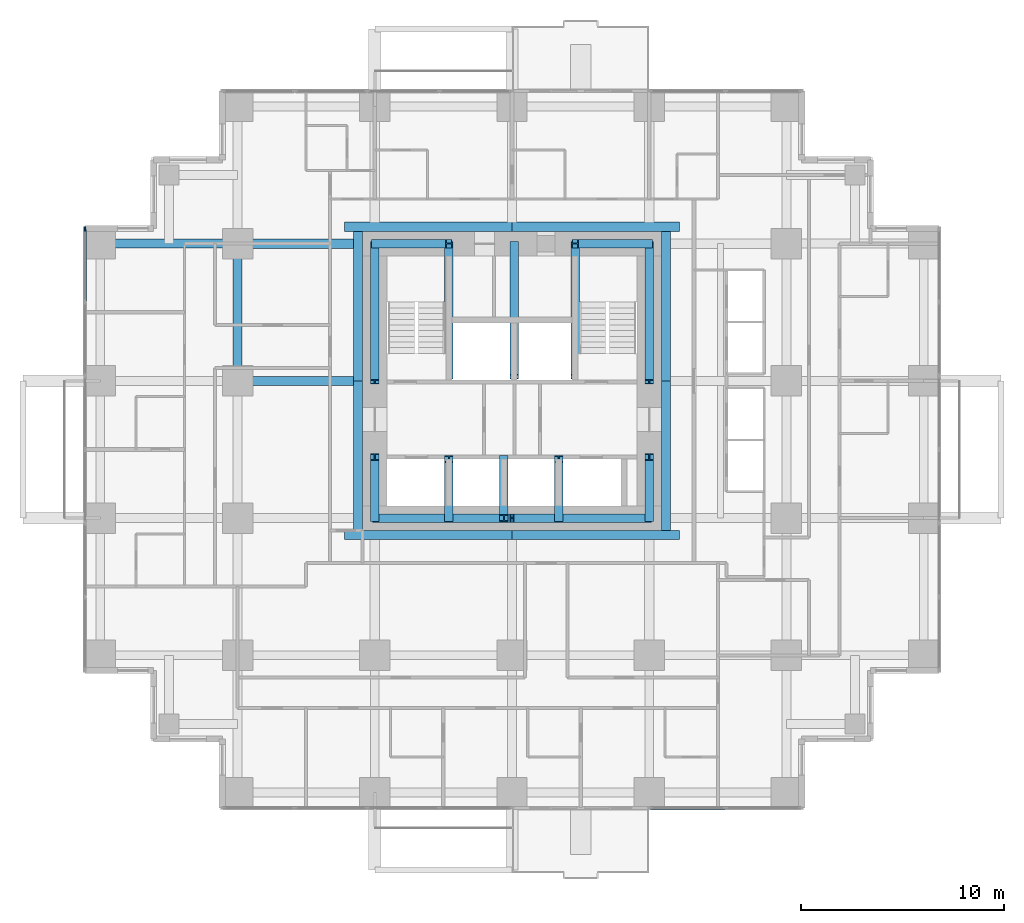
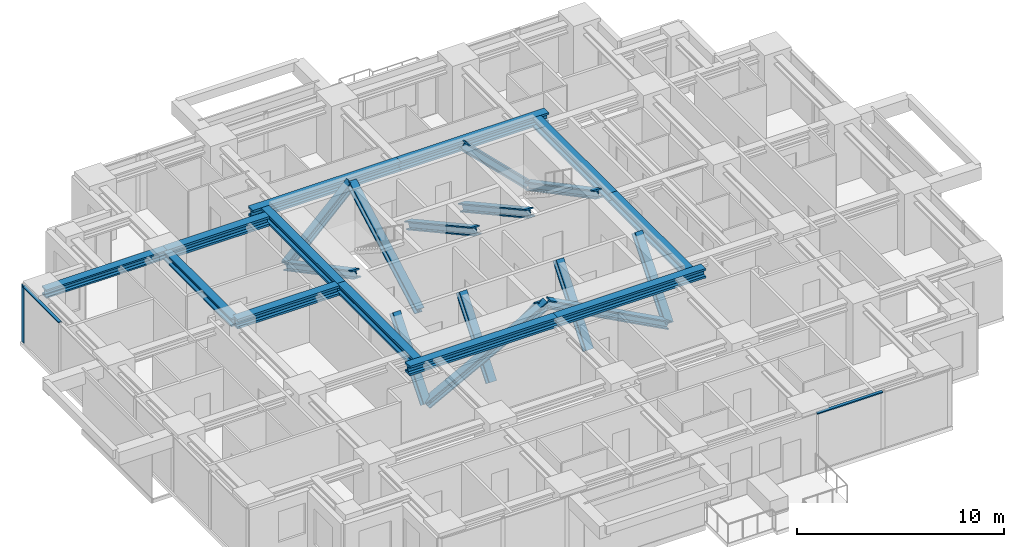
# One storey, part 3 of 12: 17 members, 12 beams, 2 elements without a shape of their own.
"""IFC4 building model written with IfcOpenShell, lengths in metres."""

from ifc_helpers import new_model, si_unit, direction, frame, origin, origin_2d, place, context, subcontext, project, spatial, rectangle, i_section, extrude, material, material_profile, profile_set, type_object, element, aggregate, save


model = new_model("IFC4")

# Units and contexts
model_context = context("Model", 3, precision=1e-05, world=origin(), true_north=direction((0.0, 1.0)))
body_context = subcontext(model_context, "Body", "Model", "MODEL_VIEW")
ifc_project = project(units=[si_unit("LENGTHUNIT", "METRE"), si_unit("AREAUNIT", "SQUARE_METRE"), si_unit("VOLUMEUNIT", "CUBIC_METRE"), si_unit("PLANEANGLEUNIT", "RADIAN"), si_unit("MASSUNIT", "GRAM", prefix="KILO")], contexts=[model_context])

# Site, building, storey
site_placement = place(None, origin())
site = spatial("IfcSite", under=ifc_project, at=site_placement, CompositionType="ELEMENT")
building_placement = place(site_placement, origin())
building = spatial("IfcBuilding", under=site, at=building_placement, Name="Nyansa Garden Tower", CompositionType="ELEMENT")
storey_placement = place(building_placement, frame((0.0, 0.0, 112.5)))
storey = spatial("IfcBuildingStorey", under=building, at=storey_placement, Name="L30", CompositionType="ELEMENT", Elevation=112.5)

# Curtain wall, member
ifc_material_1 = material(Name="Black anodised aluminium, dark tinted double glazing", Category="aluminium")
curtain_wall_type = type_object("IfcCurtainWallType", Name="Inner skin curtain wall ISW-B", PredefinedType="USERDEFINED", material=ifc_material_1)
curtain_wall_1_placement = place(storey_placement, origin())
curtain_wall_1 = element("IfcCurtainWall", 1, at=curtain_wall_1_placement, inside=storey, type_object=curtain_wall_type, Name="Inner skin curtain wall L30 W", ObjectType="UNITISED CURTAIN WALL", PredefinedType="USERDEFINED")
ifc_material_2 = material(Name="Black anodised aluminium", Category="aluminium")
ifc_material_profile_1 = material_profile(ifc_material_2, rectangle(XDim=0.06494140625, YDim=0.22509765625, at=origin_2d()), Name="Mullion 225x65")
ifc_profile_set_1 = profile_set([ifc_material_profile_1], Name="Black anodised aluminium")
member_type_1 = type_object("IfcMemberType", Name="Mullion ISW-B 225x65", PredefinedType="MULLION", material=ifc_profile_set_1)
member_1_placement = place(storey_placement, frame((-0.75, 27.717529296875, 0.0), z_axis=(0.0, 0.0, 1.0), x_axis=(1.0, 0.0, 0.0)))
member_1 = element("IfcMember", 2, at=member_1_placement, type_object=member_type_1, Name="ISW-B mullion 1", PredefinedType="MULLION", context=body_context, shape_type="SweptSolid", body=[
    extrude(rectangle(XDim=0.06494140625, YDim=0.22509765625, at=origin_2d()), origin(), (0.0, 0.0, 1.0), 3.375),
])

# Members
ifc_material_3 = material(Name="Steel S355", Category="steel")
ifc_material_profile_2 = material_profile(ifc_material_3, i_section(OverallWidth=0.41796875, OverallDepth=0.455078125, WebThickness=0.0419921875, FlangeThickness=0.067626953125, FilletRadius=0.014892578125, at=origin_2d()), Name="HD 400x463")
ifc_profile_set_2 = profile_set([ifc_material_profile_2], Name="Steel S355")
member_type_2 = type_object("IfcMemberType", Name="Perimeter brace HD 400x463", PredefinedType="BRACE", material=ifc_profile_set_2)
for number, where, z_axis, x_axis, name in (
    (3, (13.5, 13.5, 0.0), (0.882347640589, 0.0, 0.47059817376), (0.0, 1.0, 0.0), "Core brace CS1 L30"),
    (4, (27.0, 13.5, 0.0), (-0.882347640589, 0.0, 0.47059817376), (0.0, -1.0, 0.0), "Core brace CS2 L30"),
):
    element("IfcMember", number, at=place(storey_placement, frame(where, z_axis=z_axis, x_axis=x_axis)), inside=storey, type_object=member_type_2, Name=name, PredefinedType="BRACE", context=body_context, shape_type="SweptSolid", body=[
        extrude(i_section(OverallWidth=0.41796875, OverallDepth=0.455078125, WebThickness=0.0419921875, FlangeThickness=0.067626953125, FilletRadius=0.014892578125, at=origin_2d()), origin(), (0.0, 0.0, 1.0), 7.650146484375),
    ])
for number, where, z_axis, x_axis, name in (
    (5, (13.5, 27.0, 0.0), (0.711947531702, 0.0, 0.702232662373), (0.0, 1.0, 0.0), "Core brace CN3 L30"),
    (6, (27.0, 27.0, 0.0), (-0.711947531702, 0.0, 0.702232662373), (0.0, -1.0, 0.0), "Core brace CN4 L30"),
):
    element("IfcMember", number, at=place(storey_placement, frame(where, z_axis=z_axis, x_axis=x_axis)), inside=storey, type_object=member_type_2, Name=name, PredefinedType="BRACE", context=body_context, shape_type="SweptSolid", body=[
        extrude(i_section(OverallWidth=0.41796875, OverallDepth=0.455078125, WebThickness=0.0419921875, FlangeThickness=0.067626953125, FilletRadius=0.014892578125, at=origin_2d()), origin(), (0.0, 0.0, 1.0), 5.126708984375),
    ])
member_2_placement = place(storey_placement, frame((13.5, 13.5, 0.0), z_axis=(0.0, 0.640174150918, 0.768229820104), x_axis=(-1.0, 0.0, 0.0)))
element("IfcMember", 7, at=member_2_placement, inside=storey, type_object=member_type_2, Name="Core brace CW5 L30", PredefinedType="BRACE", context=body_context, shape_type="SweptSolid", body=[
    extrude(i_section(OverallWidth=0.41796875, OverallDepth=0.455078125, WebThickness=0.0419921875, FlangeThickness=0.067626953125, FilletRadius=0.014892578125, at=origin_2d()), origin(), (0.0, 0.0, 1.0), 4.686279296875),
])
member_3_placement = place(storey_placement, frame((13.5, 27.0, 0.0), z_axis=(0.0, -0.883784057226, 0.467895009796), x_axis=(1.0, 0.0, 0.0)))
element("IfcMember", 8, at=member_3_placement, inside=storey, type_object=member_type_2, Name="Core brace CW6 L30", PredefinedType="BRACE", context=body_context, shape_type="SweptSolid", body=[
    extrude(i_section(OverallWidth=0.41796875, OverallDepth=0.455078125, WebThickness=0.0419921875, FlangeThickness=0.067626953125, FilletRadius=0.014892578125, at=origin_2d()), origin(), (0.0, 0.0, 1.0), 7.6943359375),
])
member_4_placement = place(storey_placement, frame((27.0, 13.5, 0.0), z_axis=(0.0, 0.640174150918, 0.768229820104), x_axis=(-1.0, 0.0, 0.0)))
element("IfcMember", 9, at=member_4_placement, inside=storey, type_object=member_type_2, Name="Core brace CE7 L30", PredefinedType="BRACE", context=body_context, shape_type="SweptSolid", body=[
    extrude(i_section(OverallWidth=0.41796875, OverallDepth=0.455078125, WebThickness=0.0419921875, FlangeThickness=0.067626953125, FilletRadius=0.014892578125, at=origin_2d()), origin(), (0.0, 0.0, 1.0), 4.686279296875),
])
member_5_placement = place(storey_placement, frame((27.0, 27.0, 0.0), z_axis=(0.0, -0.883784057226, 0.467895009796), x_axis=(1.0, 0.0, 0.0)))
element("IfcMember", 10, at=member_5_placement, inside=storey, type_object=member_type_2, Name="Core brace CE8 L30", PredefinedType="BRACE", context=body_context, shape_type="SweptSolid", body=[
    extrude(i_section(OverallWidth=0.41796875, OverallDepth=0.455078125, WebThickness=0.0419921875, FlangeThickness=0.067626953125, FilletRadius=0.014892578125, at=origin_2d()), origin(), (0.0, 0.0, 1.0), 7.6943359375),
])
for number, where, z_axis, x_axis, name in (
    (11, (17.14990234375, 20.449951171875, 0.0), (0.0, 0.876353113771, 0.481669201822), (-1.0, 0.0, 0.0), "Core brace CWS9 L30"),
    (12, (23.35009765625, 27.0, 0.0), (0.0, -0.876353113771, 0.481669201822), (1.0, 0.0, 0.0), "Core brace CES10 L30"),
):
    element("IfcMember", number, at=place(storey_placement, frame(where, z_axis=z_axis, x_axis=x_axis)), inside=storey, type_object=member_type_2, Name=name, PredefinedType="BRACE", context=body_context, shape_type="SweptSolid", body=[
        extrude(i_section(OverallWidth=0.41796875, OverallDepth=0.455078125, WebThickness=0.0419921875, FlangeThickness=0.067626953125, FilletRadius=0.014892578125, at=origin_2d()), origin(), (0.0, 0.0, 1.0), 7.47412109375),
    ])
for number, where, z_axis, x_axis, name in (
    (13, (17.14990234375, 13.5, 0.0), (0.0, 0.627306405886, 0.778772542617), (-1.0, 0.0, 0.0), "Core brace CSW11 L30"),
    (14, (19.85009765625, 16.39990234375, 0.0), (0.0, -0.627306405886, 0.778772542617), (1.0, 0.0, 0.0), "Core brace CSW12 L30"),
    (15, (22.550048828125, 13.5, 0.0), (0.0, 0.627306405886, 0.778772542617), (-1.0, 0.0, 0.0), "Core brace CSW13 L30"),
):
    element("IfcMember", number, at=place(storey_placement, frame(where, z_axis=z_axis, x_axis=x_axis)), inside=storey, type_object=member_type_2, Name=name, PredefinedType="BRACE", context=body_context, shape_type="SweptSolid", body=[
        extrude(i_section(OverallWidth=0.41796875, OverallDepth=0.455078125, WebThickness=0.0419921875, FlangeThickness=0.067626953125, FilletRadius=0.014892578125, at=origin_2d()), origin(), (0.0, 0.0, 1.0), 4.622802734375),
    ])
member_6_placement = place(storey_placement, frame((20.35009765625, 27.0, 0.0), z_axis=(0.0, -0.876353113771, 0.481669201822), x_axis=(1.0, 0.0, 0.0)))
element("IfcMember", 16, at=member_6_placement, inside=storey, type_object=member_type_2, Name="Core brace CNW14 L30", PredefinedType="BRACE", context=body_context, shape_type="SweptSolid", body=[
    extrude(i_section(OverallWidth=0.41796875, OverallDepth=0.455078125, WebThickness=0.0419921875, FlangeThickness=0.067626953125, FilletRadius=0.014892578125, at=origin_2d()), origin(), (0.0, 0.0, 1.0), 7.47412109375),
])

# Beams
ifc_material_4 = material(Name="Steel S355", Category="steel")
ifc_material_profile_3 = material_profile(ifc_material_4, i_section(OverallWidth=0.431884765625, OverallDepth=0.498046875, WebThickness=0.0556640625, FlangeThickness=0.0888671875, FilletRadius=0.014892578125, at=origin_2d()), Name="HD 400x744")
ifc_profile_set_3 = profile_set([ifc_material_profile_3], Name="Steel S355")
beam_type_1 = type_object("IfcBeamType", Name="Steel beam SBB1-744 HD 400x744", PredefinedType="BEAM", material=ifc_profile_set_3)
for number, where, z_axis, x_axis, name in (
    (17, (0.0, 27.0, 3.1259765625), (1.0, 0.0, 0.0), (0.0, 1.0, 0.0), "Steel beam 2/H-3/H L31"),
    (18, (6.75, 20.25, 3.1259765625), (0.0, 1.0, 0.0), (-1.0, 0.0, 0.0), "Steel beam 3/G-3/H L31"),
):
    element("IfcBeam", number, at=place(storey_placement, frame(where, z_axis=z_axis, x_axis=x_axis)), inside=storey, type_object=beam_type_1, Name=name, PredefinedType="BEAM", context=body_context, shape_type="SweptSolid", body=[
        extrude(i_section(OverallWidth=0.431884765625, OverallDepth=0.498046875, WebThickness=0.0556640625, FlangeThickness=0.0888671875, FilletRadius=0.014892578125, at=origin_2d()), origin(), (0.0, 0.0, 1.0), 6.75),
    ])
ifc_material_5 = material(Name="Steel S355", Category="steel")
ifc_material_profile_4 = material_profile(ifc_material_5, i_section(OverallWidth=0.4541015625, OverallDepth=0.569091796875, WebThickness=0.077880859375, FlangeThickness=0.125, FilletRadius=0.014892578125, at=origin_2d()), Name="HD 400x1086")
ifc_profile_set_4 = profile_set([ifc_material_profile_4], Name="Steel S355")
beam_type_2 = type_object("IfcBeamType", Name="Steel beam SCL-1086 HD 400x1086", PredefinedType="BEAM", material=ifc_profile_set_4)
for number, where, z_axis, x_axis, name in (
    (19, (6.75, 20.25, 3.090576171875), (1.0, 0.0, 0.0), (0.0, 1.0, 0.0), "Steel beam 3/G-12.450/G L31"),
    (20, (6.75, 27.0, 3.090576171875), (1.0, 0.0, 0.0), (0.0, 1.0, 0.0), "Steel beam 3/H-12.450/H L31"),
):
    element("IfcBeam", number, at=place(storey_placement, frame(where, z_axis=z_axis, x_axis=x_axis)), inside=storey, type_object=beam_type_2, Name=name, PredefinedType="BEAM", context=body_context, shape_type="SweptSolid", body=[
        extrude(i_section(OverallWidth=0.4541015625, OverallDepth=0.569091796875, WebThickness=0.077880859375, FlangeThickness=0.125, FilletRadius=0.014892578125, at=origin_2d()), origin(), (0.0, 0.0, 1.0), 5.699951171875),
    ])
for number, where, z_axis, x_axis, name in (
    (21, (12.0, 12.673095703125, 3.090576171875), (1.0, 0.0, 0.0), (0.0, 1.0, 0.0), "Steel core ledger beam S.1 L31"),
    (22, (20.25, 12.673095703125, 3.090576171875), (1.0, 0.0, 0.0), (0.0, 1.0, 0.0), "Steel core ledger beam S.2 L31"),
):
    element("IfcBeam", number, at=place(storey_placement, frame(where, z_axis=z_axis, x_axis=x_axis)), inside=storey, type_object=beam_type_2, Name=name, PredefinedType="BEAM", context=body_context, shape_type="SweptSolid", body=[
        extrude(i_section(OverallWidth=0.4541015625, OverallDepth=0.569091796875, WebThickness=0.077880859375, FlangeThickness=0.125, FilletRadius=0.014892578125, at=origin_2d()), origin(), (0.0, 0.0, 1.0), 8.25),
    ])
for number, where, z_axis, x_axis, name in (
    (23, (27.826904296875, 12.89990234375, 3.090576171875), (0.0, 1.0, 0.0), (-1.0, 0.0, 0.0), "Steel core ledger beam E.1 L31"),
    (24, (27.826904296875, 20.25, 3.090576171875), (0.0, 1.0, 0.0), (-1.0, 0.0, 0.0), "Steel core ledger beam E.2 L31"),
):
    element("IfcBeam", number, at=place(storey_placement, frame(where, z_axis=z_axis, x_axis=x_axis)), inside=storey, type_object=beam_type_2, Name=name, PredefinedType="BEAM", context=body_context, shape_type="SweptSolid", body=[
        extrude(i_section(OverallWidth=0.4541015625, OverallDepth=0.569091796875, WebThickness=0.077880859375, FlangeThickness=0.125, FilletRadius=0.014892578125, at=origin_2d()), origin(), (0.0, 0.0, 1.0), 7.35009765625),
    ])
for number, where, z_axis, x_axis, name in (
    (25, (28.5, 27.826904296875, 3.090576171875), (-1.0, 0.0, 0.0), (0.0, -1.0, 0.0), "Steel core ledger beam N.1 L31"),
    (26, (20.25, 27.826904296875, 3.090576171875), (-1.0, 0.0, 0.0), (0.0, -1.0, 0.0), "Steel core ledger beam N.2 L31"),
):
    element("IfcBeam", number, at=place(storey_placement, frame(where, z_axis=z_axis, x_axis=x_axis)), inside=storey, type_object=beam_type_2, Name=name, PredefinedType="BEAM", context=body_context, shape_type="SweptSolid", body=[
        extrude(i_section(OverallWidth=0.4541015625, OverallDepth=0.569091796875, WebThickness=0.077880859375, FlangeThickness=0.125, FilletRadius=0.014892578125, at=origin_2d()), origin(), (0.0, 0.0, 1.0), 8.25),
    ])
for number, where, z_axis, x_axis, name in (
    (27, (12.673095703125, 27.60009765625, 3.090576171875), (0.0, -1.0, 0.0), (1.0, 0.0, 0.0), "Steel core ledger beam W.1 L31"),
    (28, (12.673095703125, 20.25, 3.090576171875), (0.0, -1.0, 0.0), (1.0, 0.0, 0.0), "Steel core ledger beam W.2 L31"),
):
    element("IfcBeam", number, at=place(storey_placement, frame(where, z_axis=z_axis, x_axis=x_axis)), inside=storey, type_object=beam_type_2, Name=name, PredefinedType="BEAM", context=body_context, shape_type="SweptSolid", body=[
        extrude(i_section(OverallWidth=0.4541015625, OverallDepth=0.569091796875, WebThickness=0.077880859375, FlangeThickness=0.125, FilletRadius=0.014892578125, at=origin_2d()), origin(), (0.0, 0.0, 1.0), 7.35009765625),
    ])

# Member
ifc_material_6 = material(Name="Black anodised aluminium", Category="aluminium")
ifc_material_profile_5 = material_profile(ifc_material_6, rectangle(XDim=0.1650390625, YDim=0.06494140625, at=origin_2d()), Name="Transom 165x65")
ifc_profile_set_5 = profile_set([ifc_material_profile_5], Name="Black anodised aluminium")
member_type_3 = type_object("IfcMemberType", Name="Transom ISW-B 165x65", PredefinedType="USERDEFINED", material=ifc_profile_set_5)
member_7_placement = place(storey_placement, frame((-0.75, 27.68505859375, 3.342529296875), z_axis=(0.0, -1.0, 0.0), x_axis=(1.0, 0.0, 0.0)))
member_7 = element("IfcMember", 29, at=member_7_placement, type_object=member_type_3, Name="ISW-B transom 1", ObjectType="TRANSOM", PredefinedType="USERDEFINED", context=body_context, shape_type="SweptSolid", body=[
    extrude(rectangle(XDim=0.1650390625, YDim=0.06494140625, at=origin_2d()), origin(), (0.0, 0.0, 1.0), 3.527587890625),
])

aggregate(curtain_wall_1, [member_1, member_7])

# Curtain wall, member
curtain_wall_2_placement = place(storey_placement, origin())
curtain_wall_2 = element("IfcCurtainWall", 30, at=curtain_wall_2_placement, inside=storey, type_object=curtain_wall_type, Name="Inner skin curtain wall L30 S", ObjectType="UNITISED CURTAIN WALL", PredefinedType="USERDEFINED")
member_8_placement = place(storey_placement, frame((27.06494140625, -0.75, 3.342529296875), z_axis=(1.0, 0.0, 0.0), x_axis=(0.0, 1.0, 0.0)))
member_8 = element("IfcMember", 31, at=member_8_placement, type_object=member_type_3, Name="ISW-B transom 1", ObjectType="TRANSOM", PredefinedType="USERDEFINED", context=body_context, shape_type="SweptSolid", body=[
    extrude(rectangle(XDim=0.1650390625, YDim=0.06494140625, at=origin_2d()), origin(), (0.0, 0.0, 1.0), 3.652587890625),
])
aggregate(curtain_wall_2, [member_8])

save(model, "model.ifc")
